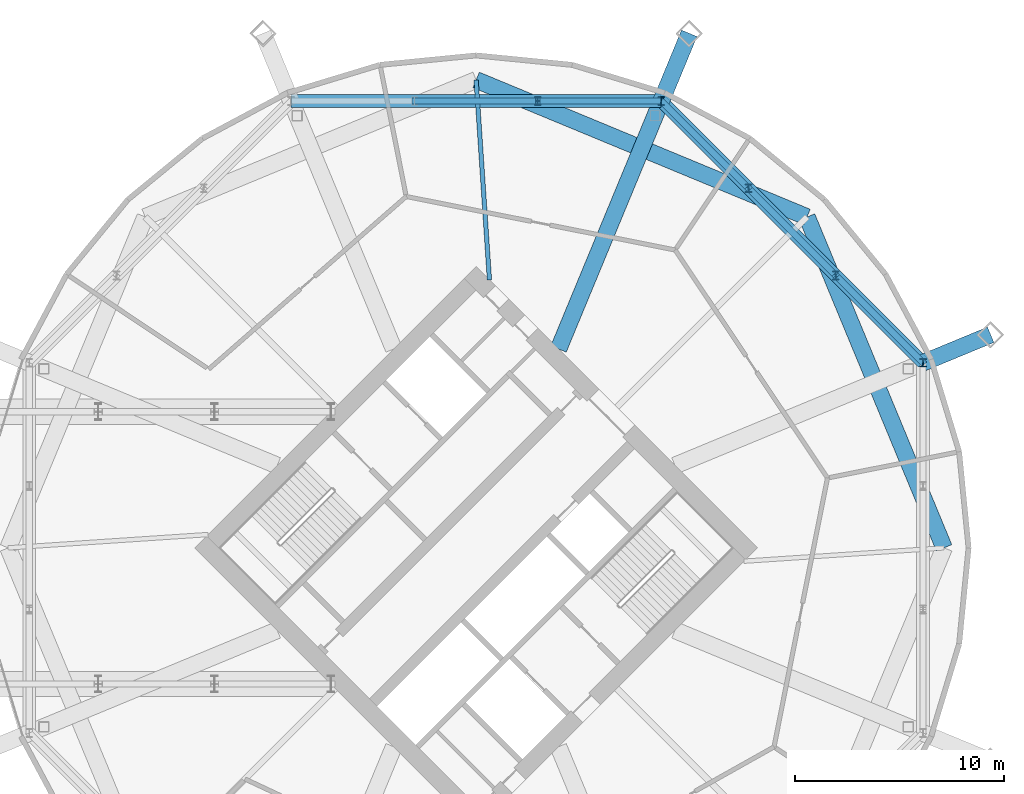
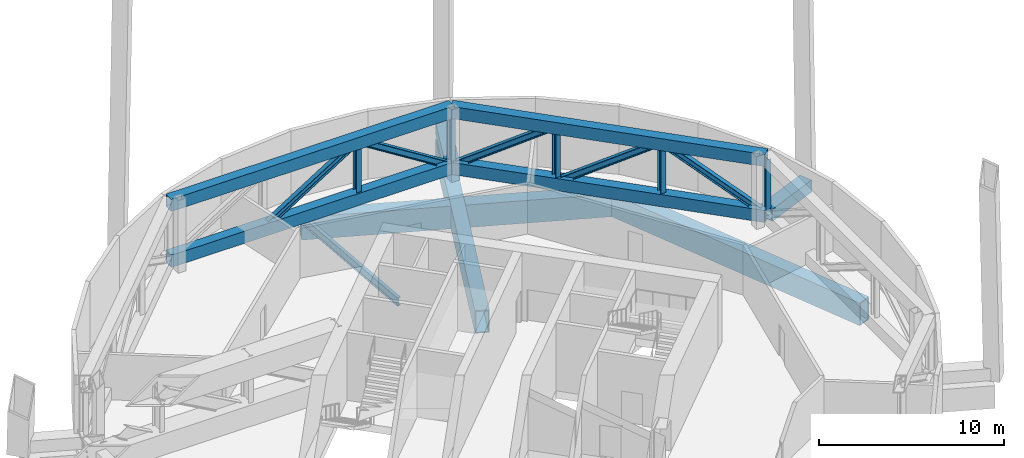
# One storey, part 11 of 19: 14 members, 6 beams.
"""IFC4 building model written with IfcOpenShell, lengths in metres."""

from ifc_helpers import new_model, si_unit, direction, frame, origin, origin_2d, place, context, subcontext, project, spatial, hollow_rectangle, i_section, extrude, material, material_profile, profile_set, type_object, element, save


model = new_model("IFC4")

# Units and contexts
model_context = context("Model", 3, precision=1e-05, world=origin(), true_north=direction((0.0, 1.0)))
body_context = subcontext(model_context, "Body", "Model", "MODEL_VIEW")
ifc_project = project(units=[si_unit("LENGTHUNIT", "METRE"), si_unit("AREAUNIT", "SQUARE_METRE"), si_unit("VOLUMEUNIT", "CUBIC_METRE"), si_unit("PLANEANGLEUNIT", "RADIAN"), si_unit("MASSUNIT", "GRAM", prefix="KILO")], contexts=[model_context])

# Site, building, storey
site_placement = place(None, origin())
site = spatial("IfcSite", under=ifc_project, at=site_placement, CompositionType="ELEMENT")
building_placement = place(site_placement, origin())
building = spatial("IfcBuilding", under=site, at=building_placement, Name="Ogive Gate Towers", CompositionType="ELEMENT")
storey_placement = place(building_placement, frame((0.0, 0.0, 130.800048828125)))
storey = spatial("IfcBuildingStorey", under=building, at=storey_placement, Name="L31", CompositionType="ELEMENT", Elevation=130.800048828125)

# Beams
ifc_material_1 = material(Name="Steel SM460", Category="steel")
ifc_material_profile_1 = material_profile(ifc_material_1, hollow_rectangle(XDim=0.800048828125, YDim=1.5, WallThickness=0.06005859375, at=origin_2d()), Name="BX 1500x800x60")
ifc_profile_set_1 = profile_set([ifc_material_profile_1], Name="Steel SM460")
beam_type_1 = type_object("IfcBeamType", Name="Edge girder BX 1500x800x60", PredefinedType="BEAM", material=ifc_profile_set_1)
for number, where, z_axis, x_axis, name in (
    (1, (58.35009765625, 0.0, -1.050048828125), (-0.382679941797, 0.923880978344, 0.0), (-0.923880978344, -0.382679941797, 0.0), "T2/L31/SBM020"),
    (2, (51.803955078125, 15.803955078125, -1.050048828125), (-0.923880978344, 0.382679941797, 0.0), (-0.382679941797, -0.923880978344, 0.0), "T2/L31/SBM021"),
):
    element("IfcBeam", number, at=place(storey_placement, frame(where, z_axis=z_axis, x_axis=x_axis)), inside=storey, type_object=beam_type_1, Name=name, PredefinedType="BEAM", context=body_context, shape_type="SweptSolid", body=[
        extrude(hollow_rectangle(XDim=0.800048828125, YDim=1.5, WallThickness=0.06005859375, at=origin_2d()), origin(), (0.0, 0.0, 1.0), 17.10595703125),
    ])
ifc_material_profile_2 = material_profile(ifc_material_1, hollow_rectangle(XDim=0.800048828125, YDim=0.800048828125, WallThickness=0.050048828125, at=origin_2d()), Name="BX 800x800x50")
ifc_profile_set_2 = profile_set([ifc_material_profile_2], Name="Steel SM460")
beam_type_2 = type_object("IfcBeamType", Name="Node arm BX 800x800x50", PredefinedType="BEAM", material=ifc_profile_set_2)
for number, where, z_axis, x_axis, name in (
    (3, (57.341552734375, 8.840087890625, 0.449951171875), (0.923885910704, 0.382668033682, 0.0), (-0.382668033682, 0.923885910704, 0.0), "T2/L31/SBM025"),
    (4, (44.840087890625, 21.341552734375, 0.449951171875), (0.382668033682, 0.923885910704, 0.0), (-0.923885910704, 0.382668033682, 0.0), "T2/L31/SBM026"),
):
    element("IfcBeam", number, at=place(storey_placement, frame(where, z_axis=z_axis, x_axis=x_axis)), inside=storey, type_object=beam_type_2, Name=name, PredefinedType="BEAM", context=body_context, shape_type="SweptSolid", body=[
        extrude(hollow_rectangle(XDim=0.800048828125, YDim=0.800048828125, WallThickness=0.050048828125, at=origin_2d()), origin(), (0.0, 0.0, 1.0), 3.5),
    ])
ifc_material_2 = material(Name="Steel SM355", Category="steel")
ifc_material_profile_3 = material_profile(ifc_material_2, i_section(OverallWidth=0.2099609375, OverallDepth=0.550048828125, WebThickness=0.010986328125, FlangeThickness=0.01708984375, FilletRadius=0.02392578125, at=origin_2d()), Name="IPE 550")
ifc_profile_set_3 = profile_set([ifc_material_profile_3], Name="Steel SM355")
beam_type_3 = type_object("IfcBeamType", Name="Radial floor beam IPE 550", PredefinedType="BEAM", material=ifc_profile_set_3)
beam_1_placement = place(storey_placement, frame((36.636474609375, 12.798583984375, -0.574951171875), z_axis=(-0.066488541289, 0.997787188672, 0.0), x_axis=(-0.997787188672, -0.066488541289, 0.0)))
element("IfcBeam", 5, at=beam_1_placement, inside=storey, type_object=beam_type_3, Name="T2/L31/SBM011", PredefinedType="BEAM", context=body_context, shape_type="SweptSolid", body=[
    extrude(i_section(OverallWidth=0.2099609375, OverallDepth=0.550048828125, WebThickness=0.010986328125, FlangeThickness=0.01708984375, FilletRadius=0.02392578125, at=origin_2d()), origin(), (0.0, 0.0, 1.0), 9.57275390625),
])
ifc_material_profile_4 = material_profile(ifc_material_1, hollow_rectangle(XDim=0.800048828125, YDim=1.5, WallThickness=0.06005859375, at=origin_2d()), Name="BX 1500x800x60")
ifc_profile_set_4 = profile_set([ifc_material_profile_4], Name="Steel SM460")
beam_type_4 = type_object("IfcBeamType", Name="Transfer radial beam BX 1500x800x60", PredefinedType="BEAM", material=ifc_profile_set_4)
beam_2_placement = place(storey_placement, frame((39.93505859375, 9.5, -1.050048828125), z_axis=(0.382685232436, 0.923878786896, 0.0), x_axis=(-0.923878786896, 0.382685232436, 0.0)))
element("IfcBeam", 6, at=beam_2_placement, inside=storey, type_object=beam_type_4, Name="T2/L31/SBM010", PredefinedType="BEAM", context=body_context, shape_type="SweptSolid", body=[
    extrude(hollow_rectangle(XDim=0.800048828125, YDim=1.5, WallThickness=0.06005859375, at=origin_2d()), origin(), (0.0, 0.0, 1.0), 16.3173828125),
])

# Members
ifc_material_profile_5 = material_profile(ifc_material_1, hollow_rectangle(XDim=0.60009765625, YDim=0.800048828125, WallThickness=0.0400390625, at=origin_2d()), Name="BX 800x600x40")
ifc_profile_set_5 = profile_set([ifc_material_profile_5], Name="Steel SM460")
member_type_1 = type_object("IfcMemberType", Name="Truss chord BX 800x600x40", PredefinedType="CHORD", material=ifc_profile_set_5)
for number, where, z_axis, x_axis, name in (
    (7, (57.341552734375, 8.840087890625, 0.39990234375), (-0.707106781187, 0.707106781187, 0.0), (-0.707106781187, -0.707106781187, 0.0), "T2/L31/STR001"),
    (8, (57.341552734375, 8.840087890625, 4.099853515625), (-0.707106781187, 0.707106781187, 0.0), (-0.707106781187, -0.707106781187, 0.0), "T2/L31/STR002"),
):
    element("IfcMember", number, at=place(storey_placement, frame(where, z_axis=z_axis, x_axis=x_axis)), inside=storey, type_object=member_type_1, Name=name, PredefinedType="CHORD", context=body_context, shape_type="SweptSolid", body=[
        extrude(hollow_rectangle(XDim=0.60009765625, YDim=0.800048828125, WallThickness=0.0400390625, at=origin_2d()), origin(), (0.0, 0.0, 1.0), 17.6796875),
    ])
for number, where, z_axis, x_axis, name in (
    (9, (44.840087890625, 21.341552734375, 0.39990234375), (-1.0, 0.0, 0.0), (0.0, -1.0, 0.0), "T2/L31/STR010"),
    (10, (44.840087890625, 21.341552734375, 4.099853515625), (-1.0, 0.0, 0.0), (0.0, -1.0, 0.0), "T2/L31/STR011"),
):
    element("IfcMember", number, at=place(storey_placement, frame(where, z_axis=z_axis, x_axis=x_axis)), inside=storey, type_object=member_type_1, Name=name, PredefinedType="CHORD", context=body_context, shape_type="SweptSolid", body=[
        extrude(hollow_rectangle(XDim=0.60009765625, YDim=0.800048828125, WallThickness=0.0400390625, at=origin_2d()), origin(), (0.0, 0.0, 1.0), 17.68017578125),
    ])
ifc_material_profile_6 = material_profile(ifc_material_1, i_section(OverallWidth=0.300048828125, OverallDepth=0.39990234375, WebThickness=0.013427734375, FlangeThickness=0.02392578125, FilletRadius=0.027099609375, at=origin_2d()), Name="HE 400 B")
ifc_profile_set_6 = profile_set([ifc_material_profile_6], Name="Steel SM460")
member_type_2 = type_object("IfcMemberType", Name="Truss diagonal HE 400 B", PredefinedType="BRACE", material=ifc_profile_set_6)
member_1_placement = place(storey_placement, frame((57.341552734375, 8.840087890625, 0.39990234375), z_axis=(-0.598866000046, 0.598866000046, 0.531713294903), x_axis=(-0.707106781187, -0.707106781187, 0.0)))
element("IfcMember", 11, at=member_1_placement, inside=storey, type_object=member_type_2, Name="T2/L31/STR003", PredefinedType="BRACE", context=body_context, shape_type="SweptSolid", body=[
    extrude(i_section(OverallWidth=0.300048828125, OverallDepth=0.39990234375, WebThickness=0.013427734375, FlangeThickness=0.02392578125, FilletRadius=0.027099609375, at=origin_2d()), origin(), (0.0, 0.0, 1.0), 6.95849609375),
])
member_2_placement = place(storey_placement, frame((53.17431640625, 13.00732421875, 4.099853515625), z_axis=(-0.598856080222, 0.598856080222, -0.531735639545), x_axis=(-0.707106781187, -0.707106781187, 0.0)))
element("IfcMember", 12, at=member_2_placement, inside=storey, type_object=member_type_2, Name="T2/L31/STR004", PredefinedType="BRACE", context=body_context, shape_type="SweptSolid", body=[
    extrude(i_section(OverallWidth=0.300048828125, OverallDepth=0.39990234375, WebThickness=0.013427734375, FlangeThickness=0.02392578125, FilletRadius=0.027099609375, at=origin_2d()), origin(), (0.0, 0.0, 1.0), 6.958251953125),
])
for number, where, z_axis, x_axis, name in (
    (13, (49.00732421875, 17.17431640625, 4.099853515625), (-0.598866000046, 0.598866000046, -0.531713294903), (-0.707106781187, -0.707106781187, 0.0), "T2/L31/STR005"),
    (14, (44.840087890625, 21.341552734375, 0.39990234375), (-0.846922323401, 0.0, 0.531716633297), (0.0, -1.0, 0.0), "T2/L31/STR012"),
):
    element("IfcMember", number, at=place(storey_placement, frame(where, z_axis=z_axis, x_axis=x_axis)), inside=storey, type_object=member_type_2, Name=name, PredefinedType="BRACE", context=body_context, shape_type="SweptSolid", body=[
        extrude(i_section(OverallWidth=0.300048828125, OverallDepth=0.39990234375, WebThickness=0.013427734375, FlangeThickness=0.02392578125, FilletRadius=0.027099609375, at=origin_2d()), origin(), (0.0, 0.0, 1.0), 6.95849609375),
    ])
member_3_placement = place(storey_placement, frame((38.94677734375, 21.341552734375, 4.099853515625), z_axis=(-0.846932242345, 0.0, -0.531700833999), x_axis=(0.0, -1.0, 0.0)))
element("IfcMember", 15, at=member_3_placement, inside=storey, type_object=member_type_2, Name="T2/L31/STR013", PredefinedType="BRACE", context=body_context, shape_type="SweptSolid", body=[
    extrude(i_section(OverallWidth=0.300048828125, OverallDepth=0.39990234375, WebThickness=0.013427734375, FlangeThickness=0.02392578125, FilletRadius=0.027099609375, at=origin_2d()), origin(), (0.0, 0.0, 1.0), 6.958740234375),
])
ifc_material_profile_7 = material_profile(ifc_material_1, i_section(OverallWidth=0.300048828125, OverallDepth=0.39990234375, WebThickness=0.013427734375, FlangeThickness=0.02392578125, FilletRadius=0.027099609375, at=origin_2d()), Name="HE 400 B")
ifc_profile_set_7 = profile_set([ifc_material_profile_7], Name="Steel SM460")
member_type_3 = type_object("IfcMemberType", Name="Truss post HE 400 B", PredefinedType="POST", material=ifc_profile_set_7)
for number, where, z_axis, x_axis, name in (
    (16, (57.341552734375, 8.840087890625, 0.39990234375), (0.0, 0.0, 1.0), (1.0, 0.0, 0.0), "T2/L31/STR006"),
    (17, (53.17431640625, 13.00732421875, 0.39990234375), (0.0, 0.0, 1.0), (1.0, 0.0, 0.0), "T2/L31/STR007"),
    (18, (49.00732421875, 17.17431640625, 0.39990234375), (0.0, 0.0, 1.0), (1.0, 0.0, 0.0), "T2/L31/STR008"),
    (19, (44.840087890625, 21.341552734375, 0.39990234375), (0.0, 0.0, 1.0), (1.0, 0.0, 0.0), "T2/L31/STR009"),
    (20, (38.94677734375, 21.341552734375, 0.39990234375), (0.0, 0.0, 1.0), (1.0, 0.0, 0.0), "T2/L31/STR015"),
):
    element("IfcMember", number, at=place(storey_placement, frame(where, z_axis=z_axis, x_axis=x_axis)), inside=storey, type_object=member_type_3, Name=name, PredefinedType="POST", context=body_context, shape_type="SweptSolid", body=[
        extrude(i_section(OverallWidth=0.300048828125, OverallDepth=0.39990234375, WebThickness=0.013427734375, FlangeThickness=0.02392578125, FilletRadius=0.027099609375, at=origin_2d()), origin(), (0.0, 0.0, 1.0), 3.699951171875),
    ])

save(model, "model.ifc")
